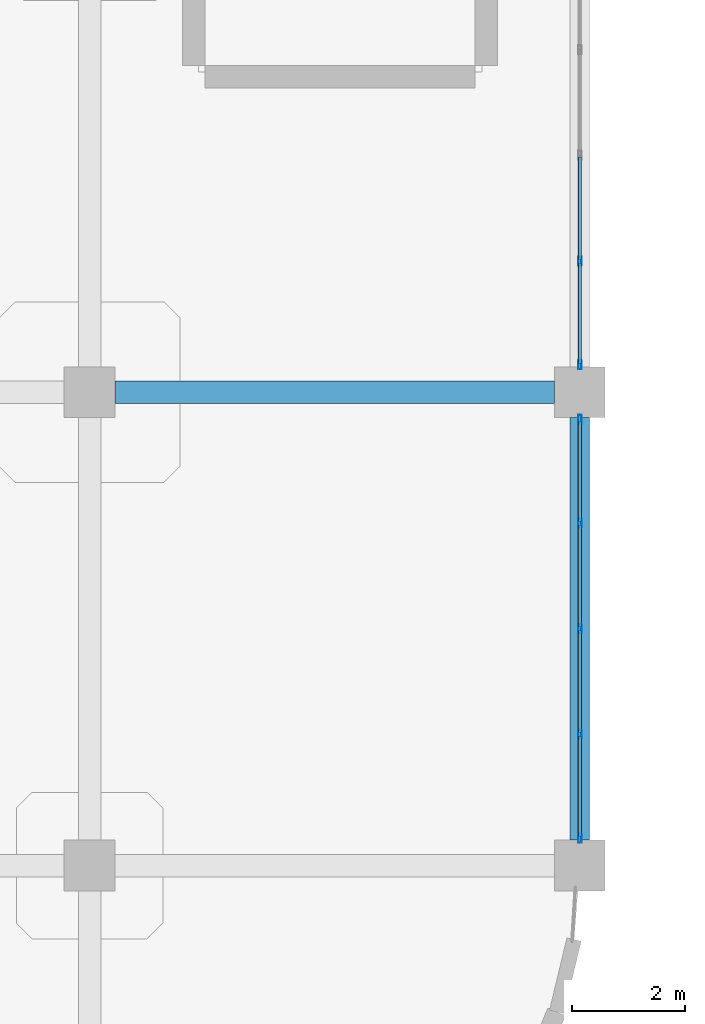
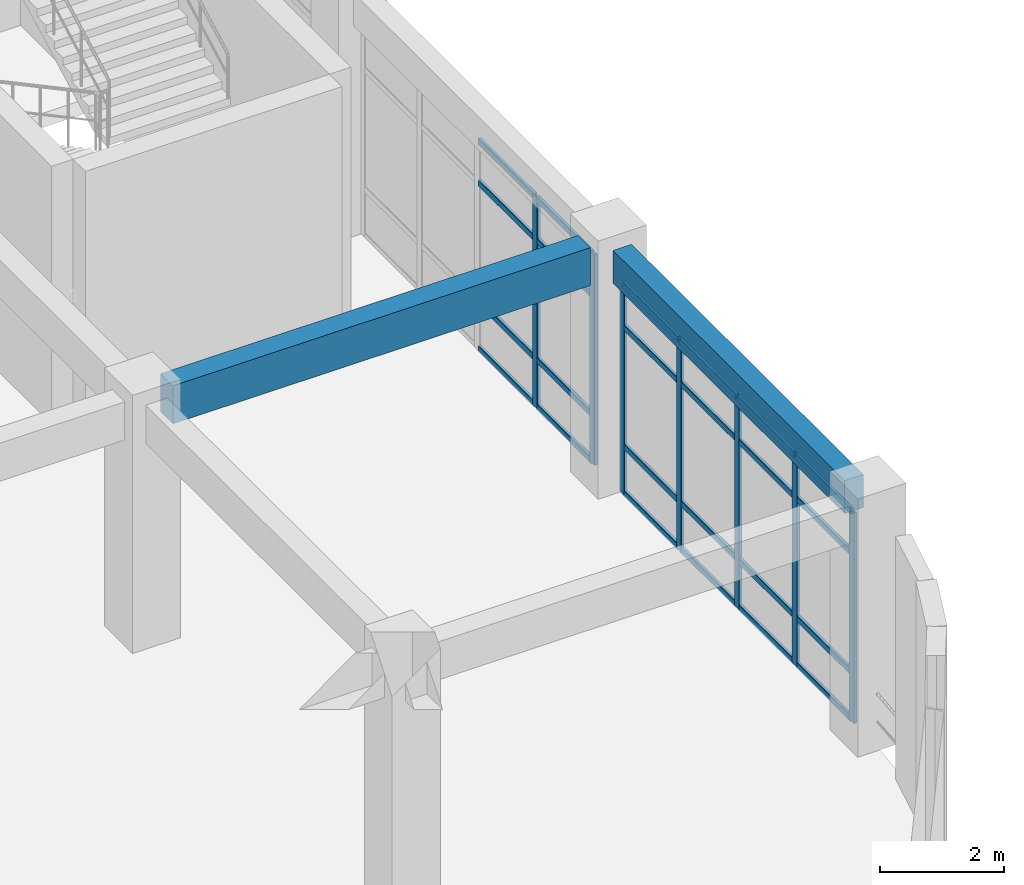
# One storey, part 25 of 120: 31 members, 2 beams, 2 elements without a shape of their own.
"""IFC4 building model written with IfcOpenShell, lengths in metres."""

from ifc_helpers import new_model, si_unit, derived_unit, direction, frame, origin, origin_2d, place, context, subcontext, project, spatial, rectangle, hollow_rectangle, extrude, material, layer, layer_set, material_profile, profile_set, type_object, element, aggregate, save


model = new_model("IFC4")

# Units and contexts
model_context = context("Model", 3, precision=1e-05, world=origin(), true_north=direction((0.0, 1.0)))
body_context = subcontext(model_context, "Body", "Model", "MODEL_VIEW")
ifc_project = project(units=[si_unit("LENGTHUNIT", "METRE"), si_unit("AREAUNIT", "SQUARE_METRE"), si_unit("VOLUMEUNIT", "CUBIC_METRE"), si_unit("PLANEANGLEUNIT", "RADIAN"), si_unit("MASSUNIT", "GRAM", prefix="KILO"), derived_unit("THERMALTRANSMITTANCEUNIT", [(si_unit("MASSUNIT", "GRAM", prefix="KILO"), 1), (si_unit("TIMEUNIT", "SECOND"), -3), (si_unit("THERMODYNAMICTEMPERATUREUNIT", "KELVIN"), -1)])], contexts=[model_context])

# Site, building, storey
site_placement = place(None, origin())
site = spatial("IfcSite", under=ifc_project, at=site_placement, CompositionType="ELEMENT")
building_placement = place(site_placement, origin())
building = spatial("IfcBuilding", under=site, at=building_placement, Name="Qinzheling Arcade Emporium", CompositionType="ELEMENT")
storey_placement = place(building_placement, frame((0.0, 0.0, 11.39990234375)))
storey = spatial("IfcBuildingStorey", under=building, at=storey_placement, Name="L03", CompositionType="ELEMENT", Elevation=11.39990234375)

# Curtain wall, members
ifc_material_1 = material(Name="Anodised aluminium and solar-control double glazing", Category="aluminium")
ifc_layer = layer(ifc_material_1, 0.159912109375, Name="Anodised aluminium and solar-control double glazing", Category="aluminium")
ifc_layer_set = layer_set([ifc_layer], Name="Anodised aluminium and solar-control double glazing")
curtain_wall_type = type_object("IfcCurtainWallType", Name="Arcade Portal Glazed Curtain Wall", PredefinedType="NOTDEFINED", material=ifc_layer_set)
curtain_wall_1_placement = place(storey_placement, origin())
curtain_wall_1 = element("IfcCurtainWall", 1, at=curtain_wall_1_placement, inside=storey, type_object=curtain_wall_type, Name="Curtain Wall CW-L03-147", PredefinedType="NOTDEFINED")
ifc_material_2 = material(Name="Anodised aluminium 6063-T6", Category="aluminium")
ifc_material_profile_1 = material_profile(ifc_material_2, hollow_rectangle(XDim=0.06005859375, YDim=0.159912109375, WallThickness=0.00390625, InnerFilletRadius=0.00390625, OuterFilletRadius=0.008056640625, at=origin_2d()), Name="RHS 160x60x4", Category="aluminium")
ifc_profile_set_1 = profile_set([ifc_material_profile_1], Name="Anodised aluminium 6063-T6")
member_type_1 = type_object("IfcMemberType", Name="Curtain Wall Mullion RHS160x60", PredefinedType="MULLION", material=ifc_profile_set_1)
member_1_placement = place(storey_placement, frame((69.60009765625, 19.1259765625, 0.0), z_axis=(0.0, 0.0, 1.0), x_axis=(1.0, 0.0, 0.0)))
member_1 = element("IfcMember", 2, at=member_1_placement, type_object=member_type_1, Name="CW05 mullion 4", PredefinedType="MULLION", context=body_context, shape_type="SweptSolid", body=[
    extrude(hollow_rectangle(XDim=0.06005859375, YDim=0.159912109375, WallThickness=0.00390625, InnerFilletRadius=0.00390625, OuterFilletRadius=0.008056640625, at=origin_2d()), origin(), (0.0, 0.0, 1.0), 4.155029296875),
])
member_2_placement = place(storey_placement, frame((69.60009765625, 17.281982421875, 0.0), z_axis=(0.0, 0.0, 1.0), x_axis=(1.0, 0.0, 0.0)))
member_2 = element("IfcMember", 3, at=member_2_placement, type_object=member_type_1, Name="CW05 mullion 5", PredefinedType="MULLION", context=body_context, shape_type="SweptSolid", body=[
    extrude(hollow_rectangle(XDim=0.06005859375, YDim=0.159912109375, WallThickness=0.00390625, InnerFilletRadius=0.00390625, OuterFilletRadius=0.008056640625, at=origin_2d()), origin(), (0.0, 0.0, 1.0), 4.155029296875),
])

curtain_wall_2_placement = place(storey_placement, origin())
curtain_wall_2 = element("IfcCurtainWall", 4, at=curtain_wall_2_placement, inside=storey, type_object=curtain_wall_type, Name="Curtain Wall CW-L03-148", PredefinedType="NOTDEFINED")
member_3_placement = place(storey_placement, frame((69.60009765625, 16.318115234375, 0.0), z_axis=(0.0, 0.0, 1.0), x_axis=(1.0, 0.0, 0.0)))
member_3 = element("IfcMember", 5, at=member_3_placement, type_object=member_type_1, Name="CW05 mullion 1", PredefinedType="MULLION", context=body_context, shape_type="SweptSolid", body=[
    extrude(hollow_rectangle(XDim=0.06005859375, YDim=0.159912109375, WallThickness=0.00390625, InnerFilletRadius=0.00390625, OuterFilletRadius=0.008056640625, at=origin_2d()), origin(), (0.0, 0.0, 1.0), 4.155029296875),
])
member_4_placement = place(storey_placement, frame((69.60009765625, 14.47412109375, 0.0), z_axis=(0.0, 0.0, 1.0), x_axis=(1.0, 0.0, 0.0)))
member_4 = element("IfcMember", 6, at=member_4_placement, type_object=member_type_1, Name="CW05 mullion 2", PredefinedType="MULLION", context=body_context, shape_type="SweptSolid", body=[
    extrude(hollow_rectangle(XDim=0.06005859375, YDim=0.159912109375, WallThickness=0.00390625, InnerFilletRadius=0.00390625, OuterFilletRadius=0.008056640625, at=origin_2d()), origin(), (0.0, 0.0, 1.0), 4.155029296875),
])
member_5_placement = place(storey_placement, frame((69.60009765625, 12.60009765625, 0.0), z_axis=(0.0, 0.0, 1.0), x_axis=(1.0, 0.0, 0.0)))
member_5 = element("IfcMember", 7, at=member_5_placement, type_object=member_type_1, Name="CW05 mullion 3", PredefinedType="MULLION", context=body_context, shape_type="SweptSolid", body=[
    extrude(hollow_rectangle(XDim=0.06005859375, YDim=0.159912109375, WallThickness=0.00390625, InnerFilletRadius=0.00390625, OuterFilletRadius=0.008056640625, at=origin_2d()), origin(), (0.0, 0.0, 1.0), 4.155029296875),
])
member_6_placement = place(storey_placement, frame((69.60009765625, 10.72607421875, 0.0), z_axis=(0.0, 0.0, 1.0), x_axis=(1.0, 0.0, 0.0)))
member_6 = element("IfcMember", 8, at=member_6_placement, type_object=member_type_1, Name="CW05 mullion 4", PredefinedType="MULLION", context=body_context, shape_type="SweptSolid", body=[
    extrude(hollow_rectangle(XDim=0.06005859375, YDim=0.159912109375, WallThickness=0.00390625, InnerFilletRadius=0.00390625, OuterFilletRadius=0.008056640625, at=origin_2d()), origin(), (0.0, 0.0, 1.0), 4.155029296875),
])
member_7_placement = place(storey_placement, frame((69.60009765625, 8.882080078125, 0.0), z_axis=(0.0, 0.0, 1.0), x_axis=(1.0, 0.0, 0.0)))
member_7 = element("IfcMember", 9, at=member_7_placement, type_object=member_type_1, Name="CW05 mullion 5", PredefinedType="MULLION", context=body_context, shape_type="SweptSolid", body=[
    extrude(hollow_rectangle(XDim=0.06005859375, YDim=0.159912109375, WallThickness=0.00390625, InnerFilletRadius=0.00390625, OuterFilletRadius=0.008056640625, at=origin_2d()), origin(), (0.0, 0.0, 1.0), 4.155029296875),
])

# Member
ifc_material_profile_2 = material_profile(ifc_material_2, hollow_rectangle(XDim=0.06005859375, YDim=0.1201171875, WallThickness=0.00390625, InnerFilletRadius=0.00390625, OuterFilletRadius=0.008056640625, at=origin_2d()), Name="RHS 120x60x4", Category="aluminium")
ifc_profile_set_2 = profile_set([ifc_material_profile_2], Name="Anodised aluminium 6063-T6")
member_type_2 = type_object("IfcMemberType", Name="Curtain Wall Transom RHS120x60", PredefinedType="USERDEFINED", material=ifc_profile_set_2)
member_8_placement = place(storey_placement, frame((69.60009765625, 20.969970703125, 0.030029296875), z_axis=(0.0, -1.0, 0.0), x_axis=(1.0, 0.0, 0.0)))
member_8 = element("IfcMember", 10, at=member_8_placement, type_object=member_type_2, Name="CW05 transom 3.1", ObjectType="TRANSOM", PredefinedType="USERDEFINED", context=body_context, shape_type="SweptSolid", body=[
    extrude(hollow_rectangle(XDim=0.06005859375, YDim=0.1201171875, WallThickness=0.00390625, InnerFilletRadius=0.00390625, OuterFilletRadius=0.008056640625, at=origin_2d()), origin(), (0.0, 0.0, 1.0), 1.81396484375),
])

member_9_placement = place(storey_placement, frame((69.60009765625, 20.969970703125, 0.9501953125), z_axis=(0.0, -1.0, 0.0), x_axis=(1.0, 0.0, 0.0)))
member_9 = element("IfcMember", 11, at=member_9_placement, type_object=member_type_2, Name="CW05 transom 3.2", ObjectType="TRANSOM", PredefinedType="USERDEFINED", context=body_context, shape_type="SweptSolid", body=[
    extrude(hollow_rectangle(XDim=0.06005859375, YDim=0.1201171875, WallThickness=0.00390625, InnerFilletRadius=0.00390625, OuterFilletRadius=0.008056640625, at=origin_2d()), origin(), (0.0, 0.0, 1.0), 1.81396484375),
])

member_10_placement = place(storey_placement, frame((69.60009765625, 20.969970703125, 3.30517578125), z_axis=(0.0, -1.0, 0.0), x_axis=(1.0, 0.0, 0.0)))
member_10 = element("IfcMember", 12, at=member_10_placement, type_object=member_type_2, Name="CW05 transom 3.3", ObjectType="TRANSOM", PredefinedType="USERDEFINED", context=body_context, shape_type="SweptSolid", body=[
    extrude(hollow_rectangle(XDim=0.06005859375, YDim=0.1201171875, WallThickness=0.00390625, InnerFilletRadius=0.00390625, OuterFilletRadius=0.008056640625, at=origin_2d()), origin(), (0.0, 0.0, 1.0), 1.81396484375),
])

member_11_placement = place(storey_placement, frame((69.60009765625, 20.969970703125, 4.125), z_axis=(0.0, -1.0, 0.0), x_axis=(1.0, 0.0, 0.0)))
member_11 = element("IfcMember", 13, at=member_11_placement, type_object=member_type_2, Name="CW05 transom 3.4", ObjectType="TRANSOM", PredefinedType="USERDEFINED", context=body_context, shape_type="SweptSolid", body=[
    extrude(hollow_rectangle(XDim=0.06005859375, YDim=0.1201171875, WallThickness=0.00390625, InnerFilletRadius=0.00390625, OuterFilletRadius=0.008056640625, at=origin_2d()), origin(), (0.0, 0.0, 1.0), 1.81396484375),
])

member_12_placement = place(storey_placement, frame((69.60009765625, 19.095947265625, 0.030029296875), z_axis=(0.0, -1.0, 0.0), x_axis=(1.0, 0.0, 0.0)))
member_12 = element("IfcMember", 14, at=member_12_placement, type_object=member_type_2, Name="CW05 transom 4.1", ObjectType="TRANSOM", PredefinedType="USERDEFINED", context=body_context, shape_type="SweptSolid", body=[
    extrude(hollow_rectangle(XDim=0.06005859375, YDim=0.1201171875, WallThickness=0.00390625, InnerFilletRadius=0.00390625, OuterFilletRadius=0.008056640625, at=origin_2d()), origin(), (0.0, 0.0, 1.0), 1.783935546875),
])

member_13_placement = place(storey_placement, frame((69.60009765625, 19.095947265625, 0.9501953125), z_axis=(0.0, -1.0, 0.0), x_axis=(1.0, 0.0, 0.0)))
member_13 = element("IfcMember", 15, at=member_13_placement, type_object=member_type_2, Name="CW05 transom 4.2", ObjectType="TRANSOM", PredefinedType="USERDEFINED", context=body_context, shape_type="SweptSolid", body=[
    extrude(hollow_rectangle(XDim=0.06005859375, YDim=0.1201171875, WallThickness=0.00390625, InnerFilletRadius=0.00390625, OuterFilletRadius=0.008056640625, at=origin_2d()), origin(), (0.0, 0.0, 1.0), 1.783935546875),
])

member_14_placement = place(storey_placement, frame((69.60009765625, 19.095947265625, 3.30517578125), z_axis=(0.0, -1.0, 0.0), x_axis=(1.0, 0.0, 0.0)))
member_14 = element("IfcMember", 16, at=member_14_placement, type_object=member_type_2, Name="CW05 transom 4.3", ObjectType="TRANSOM", PredefinedType="USERDEFINED", context=body_context, shape_type="SweptSolid", body=[
    extrude(hollow_rectangle(XDim=0.06005859375, YDim=0.1201171875, WallThickness=0.00390625, InnerFilletRadius=0.00390625, OuterFilletRadius=0.008056640625, at=origin_2d()), origin(), (0.0, 0.0, 1.0), 1.783935546875),
])

member_15_placement = place(storey_placement, frame((69.60009765625, 19.095947265625, 4.125), z_axis=(0.0, -1.0, 0.0), x_axis=(1.0, 0.0, 0.0)))
member_15 = element("IfcMember", 17, at=member_15_placement, type_object=member_type_2, Name="CW05 transom 4.4", ObjectType="TRANSOM", PredefinedType="USERDEFINED", context=body_context, shape_type="SweptSolid", body=[
    extrude(hollow_rectangle(XDim=0.06005859375, YDim=0.1201171875, WallThickness=0.00390625, InnerFilletRadius=0.00390625, OuterFilletRadius=0.008056640625, at=origin_2d()), origin(), (0.0, 0.0, 1.0), 1.783935546875),
])

aggregate(curtain_wall_1, [member_1, member_2, member_8, member_9, member_10, member_11, member_12, member_13, member_14, member_15])

member_16_placement = place(storey_placement, frame((69.60009765625, 16.2880859375, 0.030029296875), z_axis=(0.0, -1.0, 0.0), x_axis=(1.0, 0.0, 0.0)))
member_16 = element("IfcMember", 18, at=member_16_placement, type_object=member_type_2, Name="CW05 transom 1.1", ObjectType="TRANSOM", PredefinedType="USERDEFINED", context=body_context, shape_type="SweptSolid", body=[
    extrude(hollow_rectangle(XDim=0.06005859375, YDim=0.1201171875, WallThickness=0.00390625, InnerFilletRadius=0.00390625, OuterFilletRadius=0.008056640625, at=origin_2d()), origin(), (0.0, 0.0, 1.0), 1.7841796875),
])

member_17_placement = place(storey_placement, frame((69.60009765625, 16.2880859375, 0.9501953125), z_axis=(0.0, -1.0, 0.0), x_axis=(1.0, 0.0, 0.0)))
member_17 = element("IfcMember", 19, at=member_17_placement, type_object=member_type_2, Name="CW05 transom 1.2", ObjectType="TRANSOM", PredefinedType="USERDEFINED", context=body_context, shape_type="SweptSolid", body=[
    extrude(hollow_rectangle(XDim=0.06005859375, YDim=0.1201171875, WallThickness=0.00390625, InnerFilletRadius=0.00390625, OuterFilletRadius=0.008056640625, at=origin_2d()), origin(), (0.0, 0.0, 1.0), 1.7841796875),
])

member_18_placement = place(storey_placement, frame((69.60009765625, 16.2880859375, 3.30517578125), z_axis=(0.0, -1.0, 0.0), x_axis=(1.0, 0.0, 0.0)))
member_18 = element("IfcMember", 20, at=member_18_placement, type_object=member_type_2, Name="CW05 transom 1.3", ObjectType="TRANSOM", PredefinedType="USERDEFINED", context=body_context, shape_type="SweptSolid", body=[
    extrude(hollow_rectangle(XDim=0.06005859375, YDim=0.1201171875, WallThickness=0.00390625, InnerFilletRadius=0.00390625, OuterFilletRadius=0.008056640625, at=origin_2d()), origin(), (0.0, 0.0, 1.0), 1.7841796875),
])

member_19_placement = place(storey_placement, frame((69.60009765625, 16.2880859375, 4.125), z_axis=(0.0, -1.0, 0.0), x_axis=(1.0, 0.0, 0.0)))
member_19 = element("IfcMember", 21, at=member_19_placement, type_object=member_type_2, Name="CW05 transom 1.4", ObjectType="TRANSOM", PredefinedType="USERDEFINED", context=body_context, shape_type="SweptSolid", body=[
    extrude(hollow_rectangle(XDim=0.06005859375, YDim=0.1201171875, WallThickness=0.00390625, InnerFilletRadius=0.00390625, OuterFilletRadius=0.008056640625, at=origin_2d()), origin(), (0.0, 0.0, 1.0), 1.7841796875),
])

member_20_placement = place(storey_placement, frame((69.60009765625, 14.444091796875, 0.030029296875), z_axis=(0.0, -1.0, 0.0), x_axis=(1.0, 0.0, 0.0)))
member_20 = element("IfcMember", 22, at=member_20_placement, type_object=member_type_2, Name="CW05 transom 2.1", ObjectType="TRANSOM", PredefinedType="USERDEFINED", context=body_context, shape_type="SweptSolid", body=[
    extrude(hollow_rectangle(XDim=0.06005859375, YDim=0.1201171875, WallThickness=0.00390625, InnerFilletRadius=0.00390625, OuterFilletRadius=0.008056640625, at=origin_2d()), origin(), (0.0, 0.0, 1.0), 1.814208984375),
])

member_21_placement = place(storey_placement, frame((69.60009765625, 14.444091796875, 0.9501953125), z_axis=(0.0, -1.0, 0.0), x_axis=(1.0, 0.0, 0.0)))
member_21 = element("IfcMember", 23, at=member_21_placement, type_object=member_type_2, Name="CW05 transom 2.2", ObjectType="TRANSOM", PredefinedType="USERDEFINED", context=body_context, shape_type="SweptSolid", body=[
    extrude(hollow_rectangle(XDim=0.06005859375, YDim=0.1201171875, WallThickness=0.00390625, InnerFilletRadius=0.00390625, OuterFilletRadius=0.008056640625, at=origin_2d()), origin(), (0.0, 0.0, 1.0), 1.814208984375),
])

member_22_placement = place(storey_placement, frame((69.60009765625, 14.444091796875, 3.30517578125), z_axis=(0.0, -1.0, 0.0), x_axis=(1.0, 0.0, 0.0)))
member_22 = element("IfcMember", 24, at=member_22_placement, type_object=member_type_2, Name="CW05 transom 2.3", ObjectType="TRANSOM", PredefinedType="USERDEFINED", context=body_context, shape_type="SweptSolid", body=[
    extrude(hollow_rectangle(XDim=0.06005859375, YDim=0.1201171875, WallThickness=0.00390625, InnerFilletRadius=0.00390625, OuterFilletRadius=0.008056640625, at=origin_2d()), origin(), (0.0, 0.0, 1.0), 1.814208984375),
])

member_23_placement = place(storey_placement, frame((69.60009765625, 14.444091796875, 4.125), z_axis=(0.0, -1.0, 0.0), x_axis=(1.0, 0.0, 0.0)))
member_23 = element("IfcMember", 25, at=member_23_placement, type_object=member_type_2, Name="CW05 transom 2.4", ObjectType="TRANSOM", PredefinedType="USERDEFINED", context=body_context, shape_type="SweptSolid", body=[
    extrude(hollow_rectangle(XDim=0.06005859375, YDim=0.1201171875, WallThickness=0.00390625, InnerFilletRadius=0.00390625, OuterFilletRadius=0.008056640625, at=origin_2d()), origin(), (0.0, 0.0, 1.0), 1.814208984375),
])

member_24_placement = place(storey_placement, frame((69.60009765625, 12.570068359375, 0.030029296875), z_axis=(0.0, -1.0, 0.0), x_axis=(1.0, 0.0, 0.0)))
member_24 = element("IfcMember", 26, at=member_24_placement, type_object=member_type_2, Name="CW05 transom 3.1", ObjectType="TRANSOM", PredefinedType="USERDEFINED", context=body_context, shape_type="SweptSolid", body=[
    extrude(hollow_rectangle(XDim=0.06005859375, YDim=0.1201171875, WallThickness=0.00390625, InnerFilletRadius=0.00390625, OuterFilletRadius=0.008056640625, at=origin_2d()), origin(), (0.0, 0.0, 1.0), 1.81396484375),
])

member_25_placement = place(storey_placement, frame((69.60009765625, 12.570068359375, 0.9501953125), z_axis=(0.0, -1.0, 0.0), x_axis=(1.0, 0.0, 0.0)))
member_25 = element("IfcMember", 27, at=member_25_placement, type_object=member_type_2, Name="CW05 transom 3.2", ObjectType="TRANSOM", PredefinedType="USERDEFINED", context=body_context, shape_type="SweptSolid", body=[
    extrude(hollow_rectangle(XDim=0.06005859375, YDim=0.1201171875, WallThickness=0.00390625, InnerFilletRadius=0.00390625, OuterFilletRadius=0.008056640625, at=origin_2d()), origin(), (0.0, 0.0, 1.0), 1.81396484375),
])

member_26_placement = place(storey_placement, frame((69.60009765625, 12.570068359375, 3.30517578125), z_axis=(0.0, -1.0, 0.0), x_axis=(1.0, 0.0, 0.0)))
member_26 = element("IfcMember", 28, at=member_26_placement, type_object=member_type_2, Name="CW05 transom 3.3", ObjectType="TRANSOM", PredefinedType="USERDEFINED", context=body_context, shape_type="SweptSolid", body=[
    extrude(hollow_rectangle(XDim=0.06005859375, YDim=0.1201171875, WallThickness=0.00390625, InnerFilletRadius=0.00390625, OuterFilletRadius=0.008056640625, at=origin_2d()), origin(), (0.0, 0.0, 1.0), 1.81396484375),
])

member_27_placement = place(storey_placement, frame((69.60009765625, 12.570068359375, 4.125), z_axis=(0.0, -1.0, 0.0), x_axis=(1.0, 0.0, 0.0)))
member_27 = element("IfcMember", 29, at=member_27_placement, type_object=member_type_2, Name="CW05 transom 3.4", ObjectType="TRANSOM", PredefinedType="USERDEFINED", context=body_context, shape_type="SweptSolid", body=[
    extrude(hollow_rectangle(XDim=0.06005859375, YDim=0.1201171875, WallThickness=0.00390625, InnerFilletRadius=0.00390625, OuterFilletRadius=0.008056640625, at=origin_2d()), origin(), (0.0, 0.0, 1.0), 1.81396484375),
])

member_28_placement = place(storey_placement, frame((69.60009765625, 10.696044921875, 0.030029296875), z_axis=(0.0, -1.0, 0.0), x_axis=(1.0, 0.0, 0.0)))
member_28 = element("IfcMember", 30, at=member_28_placement, type_object=member_type_2, Name="CW05 transom 4.1", ObjectType="TRANSOM", PredefinedType="USERDEFINED", context=body_context, shape_type="SweptSolid", body=[
    extrude(hollow_rectangle(XDim=0.06005859375, YDim=0.1201171875, WallThickness=0.00390625, InnerFilletRadius=0.00390625, OuterFilletRadius=0.008056640625, at=origin_2d()), origin(), (0.0, 0.0, 1.0), 1.783935546875),
])

member_29_placement = place(storey_placement, frame((69.60009765625, 10.696044921875, 0.9501953125), z_axis=(0.0, -1.0, 0.0), x_axis=(1.0, 0.0, 0.0)))
member_29 = element("IfcMember", 31, at=member_29_placement, type_object=member_type_2, Name="CW05 transom 4.2", ObjectType="TRANSOM", PredefinedType="USERDEFINED", context=body_context, shape_type="SweptSolid", body=[
    extrude(hollow_rectangle(XDim=0.06005859375, YDim=0.1201171875, WallThickness=0.00390625, InnerFilletRadius=0.00390625, OuterFilletRadius=0.008056640625, at=origin_2d()), origin(), (0.0, 0.0, 1.0), 1.783935546875),
])

member_30_placement = place(storey_placement, frame((69.60009765625, 10.696044921875, 3.30517578125), z_axis=(0.0, -1.0, 0.0), x_axis=(1.0, 0.0, 0.0)))
member_30 = element("IfcMember", 32, at=member_30_placement, type_object=member_type_2, Name="CW05 transom 4.3", ObjectType="TRANSOM", PredefinedType="USERDEFINED", context=body_context, shape_type="SweptSolid", body=[
    extrude(hollow_rectangle(XDim=0.06005859375, YDim=0.1201171875, WallThickness=0.00390625, InnerFilletRadius=0.00390625, OuterFilletRadius=0.008056640625, at=origin_2d()), origin(), (0.0, 0.0, 1.0), 1.783935546875),
])

member_31_placement = place(storey_placement, frame((69.60009765625, 10.696044921875, 4.125), z_axis=(0.0, -1.0, 0.0), x_axis=(1.0, 0.0, 0.0)))
member_31 = element("IfcMember", 33, at=member_31_placement, type_object=member_type_2, Name="CW05 transom 4.4", ObjectType="TRANSOM", PredefinedType="USERDEFINED", context=body_context, shape_type="SweptSolid", body=[
    extrude(hollow_rectangle(XDim=0.06005859375, YDim=0.1201171875, WallThickness=0.00390625, InnerFilletRadius=0.00390625, OuterFilletRadius=0.008056640625, at=origin_2d()), origin(), (0.0, 0.0, 1.0), 1.783935546875),
])

aggregate(curtain_wall_2, [member_3, member_4, member_5, member_6, member_7, member_16, member_17, member_18, member_19, member_20, member_21, member_22, member_23, member_24, member_25, member_26, member_27, member_28, member_29, member_30, member_31])

# Beams
ifc_material_3 = material(Name="Concrete C40", Category="concrete")
ifc_material_profile_3 = material_profile(ifc_material_3, rectangle(XDim=0.39990234375, YDim=0.75, at=origin_2d()), Name="RC 400x750", Category="concrete")
ifc_profile_set_3 = profile_set([ifc_material_profile_3], Name="Concrete C40")
beam_type_1 = type_object("IfcBeamType", Name="RC Interior Tie Beam 400x750 C40", PredefinedType="BEAM", material=ifc_profile_set_3)
beam_1_placement = place(storey_placement, frame((61.35009765625, 16.800048828125, 4.445068359375), z_axis=(1.0, 0.0, 0.0), x_axis=(0.0, 1.0, 0.0)))
element("IfcBeam", 34, at=beam_1_placement, inside=storey, type_object=beam_type_1, Name="Beam BM-L03-X-C-8", PredefinedType="BEAM", context=body_context, shape_type="SweptSolid", body=[
    extrude(rectangle(XDim=0.39990234375, YDim=0.75, at=origin_2d()), origin(), (0.0, 0.0, 1.0), 7.7998046875),
])
ifc_material_profile_4 = material_profile(ifc_material_3, rectangle(XDim=0.35009765625, YDim=0.64990234375, at=origin_2d()), Name="RC 350x650", Category="concrete")
ifc_profile_set_4 = profile_set([ifc_material_profile_4], Name="Concrete C40")
beam_type_2 = type_object("IfcBeamType", Name="RC Spandrel Edge Beam 350x650 C40", PredefinedType="SPANDREL", material=ifc_profile_set_4)
beam_2_placement = place(storey_placement, frame((69.60009765625, 8.85009765625, 4.4951171875), z_axis=(0.0, 1.0, 0.0), x_axis=(-1.0, 0.0, 0.0)))
element("IfcBeam", 35, at=beam_2_placement, inside=storey, type_object=beam_type_2, Name="Beam BM-L03-Y-9-B", PredefinedType="SPANDREL", context=body_context, shape_type="SweptSolid", body=[
    extrude(rectangle(XDim=0.35009765625, YDim=0.64990234375, at=origin_2d()), origin(), (0.0, 0.0, 1.0), 7.5),
])

save(model, "model.ifc")
